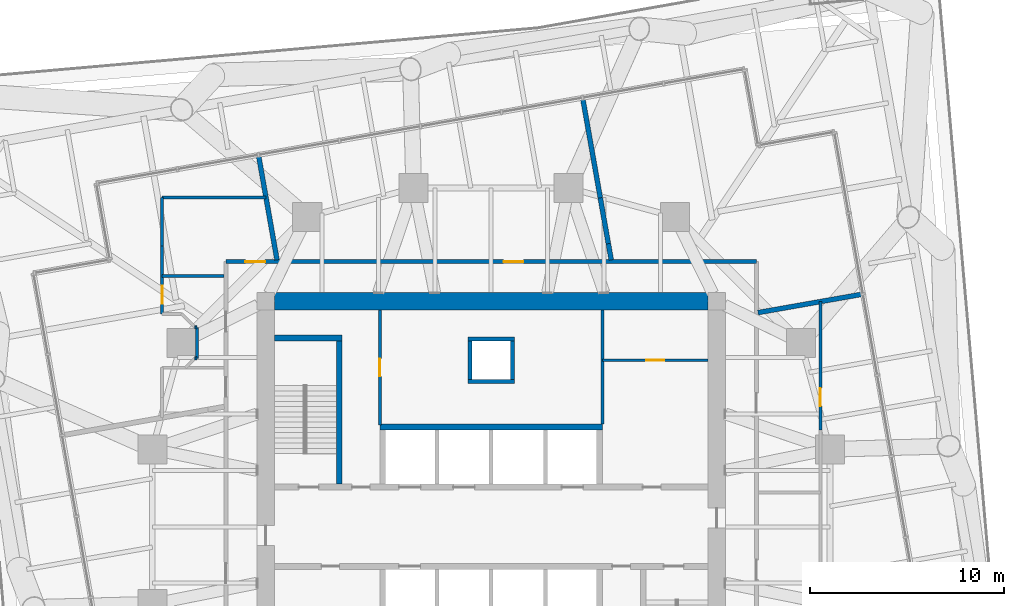
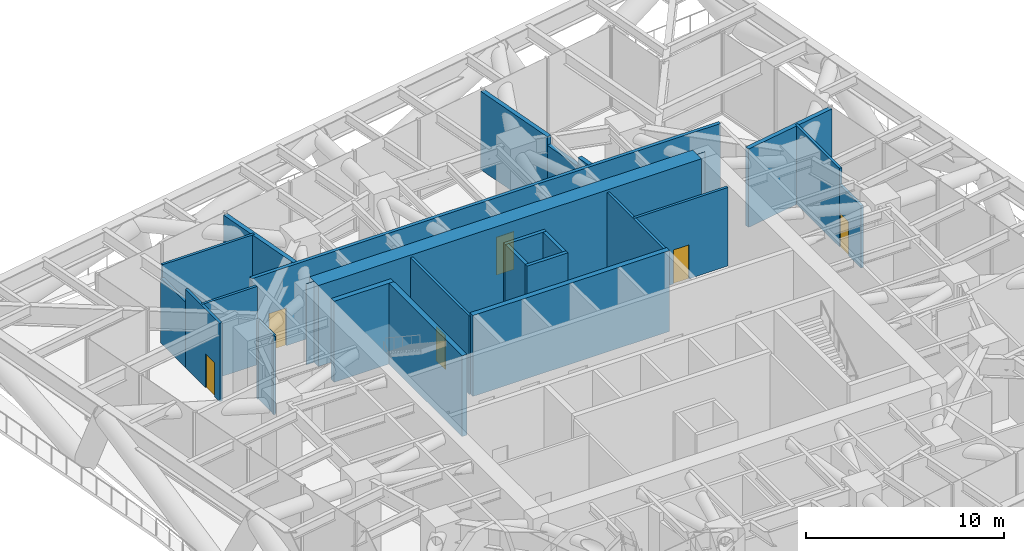
# One storey, part 12 of 15: 26 walls, 6 doors, 6 openings.
"""IFC4 building model written with IfcOpenShell, lengths in metres."""

from ifc_helpers import new_model, si_unit, direction, frame, frame_2d, origin, place, context, subcontext, project, spatial, polyline, rectangle, outline, extrude, material, layer, layer_set, type_object, element, fill, save


model = new_model("IFC4")

# Units and contexts
model_context = context("Model", 3, precision=1e-05, world=origin(), true_north=direction((0.0, 1.0)))
body_context = subcontext(model_context, "Body", "Model", "MODEL_VIEW")
ifc_project = project(units=[si_unit("LENGTHUNIT", "METRE"), si_unit("AREAUNIT", "SQUARE_METRE"), si_unit("VOLUMEUNIT", "CUBIC_METRE"), si_unit("PLANEANGLEUNIT", "RADIAN"), si_unit("MASSUNIT", "GRAM", prefix="KILO")], contexts=[model_context])

# Site, building, storey
site_placement = place(None, origin())
site = spatial("IfcSite", under=ifc_project, at=site_placement, CompositionType="ELEMENT")
building_placement = place(site_placement, origin())
building = spatial("IfcBuilding", under=site, at=building_placement, Name="Torsade Residences", CompositionType="ELEMENT")
storey_placement = place(building_placement, frame((0.0, 0.0, 74.39990234375)))
storey = spatial("IfcBuildingStorey", under=building, at=storey_placement, Name="L20", CompositionType="ELEMENT", Elevation=74.39990234375)

# Walls
ifc_material_1 = material(Name="Concrete 80 MPa", Category="concrete")
ifc_layer_1 = layer(ifc_material_1, 0.300048828125)
ifc_layer_set_1 = layer_set([ifc_layer_1], Name="Concrete 80 MPa")
wall_type_1 = type_object("IfcWallType", Name="CORE INTERNAL WALL 300", PredefinedType="SHEAR", material=ifc_layer_set_1)
wall_1_placement = place(storey_placement, frame((34.25, 35.14990234375, 0.0), z_axis=(0.0, 0.0, 1.0), x_axis=(1.0, 0.0, 0.0)))
element("IfcWall", 1, at=wall_1_placement, inside=storey, type_object=wall_type_1, Name="Core wall BN L20", PredefinedType="SHEAR", context=body_context, shape_type="SweptSolid", body=[
    extrude(rectangle(XDim=11.5, YDim=0.300048828125, at=frame_2d((5.75, 0.0))), origin(), (0.0, 0.0, 1.0), 5.0),
])
wall_2_placement = place(storey_placement, frame((32.14990234375, 32.199951171875, 0.0), z_axis=(0.0, 0.0, 1.0), x_axis=(0.0, 1.0, 0.0)))
element("IfcWall", 2, at=wall_2_placement, inside=storey, type_object=wall_type_1, Name="Core wall ST1E L20", PredefinedType="SHEAR", context=body_context, shape_type="SweptSolid", body=[
    extrude(rectangle(XDim=7.699951171875, YDim=0.300048828125, at=frame_2d((3.85009765625, 0.0))), origin(), (0.0, 0.0, 1.0), 5.0),
])
wall_3_placement = place(storey_placement, frame((28.800048828125, 39.75, 0.0), z_axis=(0.0, 0.0, 1.0), x_axis=(1.0, 0.0, 0.0)))
element("IfcWall", 3, at=wall_3_placement, inside=storey, type_object=wall_type_1, Name="Core wall ST1N L20", PredefinedType="SHEAR", context=body_context, shape_type="SweptSolid", body=[
    extrude(rectangle(XDim=3.5, YDim=0.300048828125, at=frame_2d((1.75, 0.0))), origin(), (0.0, 0.0, 1.0), 5.0),
])
ifc_material_2 = material(Name="Concrete 80 MPa", Category="concrete")
ifc_layer_2 = layer(ifc_material_2, 0.89990234375)
ifc_layer_set_2 = layer_set([ifc_layer_2], Name="Concrete 80 MPa")
wall_type_2 = type_object("IfcWallType", Name="CORE WALL 900", PredefinedType="SHEAR", material=ifc_layer_set_2)
wall_4_placement = place(storey_placement, frame((28.800048828125, 41.64990234375, 0.0), z_axis=(0.0, 0.0, 1.0), x_axis=(1.0, 0.0, 0.0)))
element("IfcWall", 4, at=wall_4_placement, inside=storey, type_object=wall_type_2, Name="Core wall N L20", PredefinedType="SHEAR", context=body_context, shape_type="SweptSolid", body=[
    extrude(outline(polyline([(0.0, -0.449951171875), (22.39990234375, -0.449951171875), (22.39990234375, -0.02490234375), (22.849853515625, -0.02490234375), (22.849853515625, 0.02490234375), (22.39990234375, 0.02490234375), (22.39990234375, 0.449951171875), (0.0, 0.449951171875), (0.0, 0.02490234375), (-0.449951171875, 0.02490234375), (-0.449951171875, -0.02490234375), (0.0, -0.02490234375), (0.0, -0.449951171875)])), origin(), (0.0, 0.0, 1.0), 5.0),
])

# Wall, openings, doors
ifc_material_3 = material(Name="Plasterboard on steel stud", Category="steel")
ifc_layer_3 = layer(ifc_material_3, 0.199951171875)
ifc_layer_set_3 = layer_set([ifc_layer_3], Name="Plasterboard on steel stud")
wall_type_3 = type_object("IfcWallType", Name="CORRIDOR WALL 200", PredefinedType="PARTITIONING", material=ifc_layer_set_3)
wall_5_placement = place(storey_placement, frame((53.699951171875, 43.699951171875, 0.0), z_axis=(0.0, 0.0, 1.0), x_axis=(-1.0, 0.0, 0.0)))
wall_5 = element("IfcWall", 5, at=wall_5_placement, inside=storey, type_object=wall_type_3, Name="Corridor wall L20", PredefinedType="PARTITIONING", context=body_context, shape_type="SweptSolid", body=[
    extrude(rectangle(XDim=27.39990234375, YDim=0.199951171875, at=frame_2d((13.699951171875, 0.0))), origin(), (0.0, 0.0, 1.0), 4.85009765625),
])
opening_1_placement = place(wall_5_placement, frame((12.031494140625, 0.0, 0.0)))
opening_1 = element("IfcOpeningElement", 6, at=opening_1_placement, cuts=wall_5, Name="Opening D01", PredefinedType="OPENING", context=body_context, shape_type="SweptSolid", body=[
    extrude(rectangle(XDim=1.02001953125, YDim=2.340087890625, at=frame_2d((0.510009765625, 1.169921875))), frame((0.0, 0.10986328125, 0.0), z_axis=(0.0, -1.0, 0.0), x_axis=(1.0, 0.0, 0.0)), (0.0, 0.0, 1.0), 0.219970703125),
])
opening_2_placement = place(wall_5_placement, frame((25.377685546875, 0.0, 0.0)))
opening_2 = element("IfcOpeningElement", 7, at=opening_2_placement, cuts=wall_5, Name="Opening D01", PredefinedType="OPENING", context=body_context, shape_type="SweptSolid", body=[
    extrude(rectangle(XDim=1.02001953125, YDim=2.340087890625, at=frame_2d((0.510009765625, 1.169921875))), frame((0.0, 0.10986328125, 0.0), z_axis=(0.0, -1.0, 0.0), x_axis=(1.0, 0.0, 0.0)), (0.0, 0.0, 1.0), 0.219970703125),
])
ifc_material_4 = material(Name="Solid-core timber fire door", Category="wood")
door_type_1 = type_object("IfcDoorType", Name="APARTMENT ENTRY DOOR 1020x2340", OperationType="NOTDEFINED", PredefinedType="DOOR", material=ifc_material_4)
door_1_placement = place(opening_1_placement, origin())
door_1 = element("IfcDoor", 8, at=door_1_placement, inside=storey, type_object=door_type_1, Name="Door Plant corridor to Refuge area", OperationType="SINGLE_SWING_LEFT", OverallHeight=2.340087890625, OverallWidth=1.02001953125, PredefinedType="DOOR", context=body_context, shape_type="SweptSolid", body=[
    extrude(rectangle(XDim=1.02001953125, YDim=2.340087890625, at=frame_2d((0.510009765625, 1.169921875))), frame((0.0, 0.02490234375, 0.0), z_axis=(0.0, -1.0, 0.0), x_axis=(1.0, 0.0, 0.0)), (0.0, 0.0, 1.0), 0.050048828125),
])
fill(opening_1, door_1)
door_2_placement = place(opening_2_placement, origin())
door_2 = element("IfcDoor", 9, at=door_2_placement, inside=storey, type_object=door_type_1, Name="Door Plant corridor to Plant cupboard", OperationType="SINGLE_SWING_RIGHT", OverallHeight=2.340087890625, OverallWidth=1.02001953125, PredefinedType="DOOR", context=body_context, shape_type="SweptSolid", body=[
    extrude(rectangle(XDim=1.02001953125, YDim=2.340087890625, at=frame_2d((0.510009765625, 1.169921875))), frame((0.0, 0.02490234375, 0.0), z_axis=(0.0, -1.0, 0.0), x_axis=(1.0, 0.0, 0.0)), (0.0, 0.0, 1.0), 0.050048828125),
])
fill(opening_2, door_2)

# Walls
ifc_material_5 = material(Name="Masonry-lined stud party wall", Category="masonry")
ifc_layer_4 = layer(ifc_material_5, 0.25)
ifc_layer_set_4 = layer_set([ifc_layer_4], Name="Masonry-lined stud party wall")
wall_type_4 = type_object("IfcWallType", Name="PARTY WALL 250", PredefinedType="PARTITIONING", material=ifc_layer_set_4)
wall_6_placement = place(storey_placement, frame((59.204833984375, 42.017578125, 0.0), z_axis=(0.0, 0.0, 1.0), x_axis=(-0.984803192417, -0.173674040102, 0.0)))
element("IfcWall", 10, at=wall_6_placement, inside=storey, type_object=wall_type_4, Name="Party wall L20", PredefinedType="PARTITIONING", context=body_context, shape_type="SweptSolid", body=[
    extrude(rectangle(XDim=5.50634765625, YDim=0.25, at=frame_2d((2.753173828125, 0.0))), origin(), (0.0, 0.0, 1.0), 4.85009765625),
])
wall_7_placement = place(storey_placement, frame((44.724365234375, 52.156982421875, 0.0), z_axis=(0.0, 0.0, 1.0), x_axis=(0.173615529166, -0.984813509266, 0.0)))
element("IfcWall", 11, at=wall_7_placement, inside=storey, type_object=wall_type_4, Name="Party wall L20", PredefinedType="PARTITIONING", context=body_context, shape_type="SweptSolid", body=[
    extrude(rectangle(XDim=5.24951171875, YDim=0.25, at=frame_2d((2.624755859375, 0.0))), origin(), (0.0, 0.0, 1.0), 4.85009765625),
])
wall_8_placement = place(storey_placement, frame((45.6357421875, 46.9873046875, 0.0), z_axis=(0.0, 0.0, 1.0), x_axis=(0.17362866226, -0.984811193906, 0.0)))
element("IfcWall", 12, at=wall_8_placement, inside=storey, type_object=wall_type_4, Name="Party wall L20", PredefinedType="PARTITIONING", context=body_context, shape_type="SweptSolid", body=[
    extrude(rectangle(XDim=2.400146484375, YDim=0.25, at=frame_2d((1.2001953125, 0.0))), origin(), (0.0, 0.0, 1.0), 4.322021484375),
])
wall_9_placement = place(storey_placement, frame((46.052490234375, 44.62353515625, 0.0), z_axis=(0.0, 0.0, 1.0), x_axis=(0.173752728326, -0.984789312188, 0.0)))
element("IfcWall", 13, at=wall_9_placement, inside=storey, type_object=wall_type_4, Name="Party wall L20", PredefinedType="PARTITIONING", context=body_context, shape_type="SweptSolid", body=[
    extrude(rectangle(XDim=0.854248046875, YDim=0.25, at=frame_2d((0.42724609375, 0.0))), origin(), (0.0, 0.0, 1.0), 4.85009765625),
])
wall_10_placement = place(storey_placement, frame((27.982421875, 49.204833984375, 0.0), z_axis=(0.0, 0.0, 1.0), x_axis=(0.173674040102, -0.984803192417, 0.0)))
element("IfcWall", 14, at=wall_10_placement, inside=storey, type_object=wall_type_4, Name="Party wall L20", PredefinedType="PARTITIONING", context=body_context, shape_type="SweptSolid", body=[
    extrude(rectangle(XDim=5.50634765625, YDim=0.25, at=frame_2d((2.753173828125, 0.0))), origin(), (0.0, 0.0, 1.0), 4.85009765625),
])
ifc_material_6 = material(Name="Reinforced blockwork", Category="masonry")
ifc_layer_5 = layer(ifc_material_6, 0.199951171875)
ifc_layer_set_5 = layer_set([ifc_layer_5], Name="Reinforced blockwork")
wall_type_5 = type_object("IfcWallType", Name="RISER SHAFT WALL 200", PredefinedType="SOLIDWALL", material=ifc_layer_set_5)
for number, where, z_axis, x_axis, name in (
    (15, (38.89990234375, 37.60009765625, 0.0), (0.0, 0.0, 1.0), (0.0, 1.0, 0.0), "Core wall RS1a L20"),
    (16, (41.10009765625, 37.60009765625, 0.0), (0.0, 0.0, 1.0), (0.0, 1.0, 0.0), "Core wall RS1b L20"),
):
    element("IfcWall", number, at=place(storey_placement, frame(where, z_axis=z_axis, x_axis=x_axis)), inside=storey, type_object=wall_type_5, Name=name, PredefinedType="SOLIDWALL", context=body_context, shape_type="SweptSolid", body=[
        extrude(rectangle(XDim=2.0, YDim=0.199951171875, at=frame_2d((1.0, 0.0))), origin(), (0.0, 0.0, 1.0), 5.0),
    ])
for number, where, z_axis, x_axis, name in (
    (17, (38.800048828125, 37.5, 0.0), (0.0, 0.0, 1.0), (1.0, 0.0, 0.0), "Core wall RS1c L20"),
    (18, (38.800048828125, 39.699951171875, 0.0), (0.0, 0.0, 1.0), (1.0, 0.0, 0.0), "Core wall RS1d L20"),
):
    element("IfcWall", number, at=place(storey_placement, frame(where, z_axis=z_axis, x_axis=x_axis)), inside=storey, type_object=wall_type_5, Name=name, PredefinedType="SOLIDWALL", context=body_context, shape_type="SweptSolid", body=[
        extrude(rectangle(XDim=2.39990234375, YDim=0.199951171875, at=frame_2d((1.199951171875, 0.0))), origin(), (0.0, 0.0, 1.0), 5.0),
    ])

# Wall, opening, door
ifc_material_7 = material(Name="Reinforced blockwork", Category="masonry")
ifc_layer_6 = layer(ifc_material_7, 0.14990234375)
ifc_layer_set_6 = layer_set([ifc_layer_6], Name="Reinforced blockwork")
wall_type_6 = type_object("IfcWallType", Name="SERVICE ROOM WALL 150", PredefinedType="SOLIDWALL", material=ifc_layer_set_6)
wall_11_placement = place(storey_placement, frame((34.25, 41.199951171875, 0.0), z_axis=(0.0, 0.0, 1.0), x_axis=(0.0, -1.0, 0.0)))
wall_11 = element("IfcWall", 19, at=wall_11_placement, inside=storey, type_object=wall_type_6, Name="Service room wall L20", PredefinedType="SOLIDWALL", context=body_context, shape_type="SweptSolid", body=[
    extrude(rectangle(XDim=5.949951171875, YDim=0.14990234375, at=frame_2d((2.97509765625, 0.0))), origin(), (0.0, 0.0, 1.0), 4.85009765625),
])
opening_3_placement = place(wall_11_placement, frame((2.514892578125, 0.0, 0.0)))
opening_3 = element("IfcOpeningElement", 20, at=opening_3_placement, cuts=wall_11, Name="Opening D06", PredefinedType="OPENING", context=body_context, shape_type="SweptSolid", body=[
    extrude(rectangle(XDim=0.919921875, YDim=2.10009765625, at=frame_2d((0.4599609375, 1.050048828125))), frame((0.0, 0.0849609375, 0.0), z_axis=(0.0, -1.0, 0.0), x_axis=(1.0, 0.0, 0.0)), (0.0, 0.0, 1.0), 0.169921875),
])
ifc_material_8 = material(Name="Steel-framed fire door", Category="steel")
door_type_2 = type_object("IfcDoorType", Name="FIRE DOOR 920", OperationType="NOTDEFINED", PredefinedType="DOOR", material=ifc_material_8)
door_3_placement = place(opening_3_placement, origin())
door_3 = element("IfcDoor", 21, at=door_3_placement, inside=storey, type_object=door_type_2, Name="Door Meter store to Electrical riser room", OperationType="SINGLE_SWING_LEFT", OverallHeight=2.10009765625, OverallWidth=0.919921875, PredefinedType="DOOR", context=body_context, shape_type="SweptSolid", body=[
    extrude(rectangle(XDim=0.919921875, YDim=2.10009765625, at=frame_2d((0.4599609375, 1.050048828125))), frame((0.0, 0.02490234375, 0.0), z_axis=(0.0, -1.0, 0.0), x_axis=(1.0, 0.0, 0.0)), (0.0, 0.0, 1.0), 0.050048828125),
])
fill(opening_3, door_3)

# Wall
wall_12_placement = place(storey_placement, frame((45.75, 41.199951171875, 0.0), z_axis=(0.0, 0.0, 1.0), x_axis=(0.0, -1.0, 0.0)))
element("IfcWall", 22, at=wall_12_placement, inside=storey, type_object=wall_type_6, Name="Service room wall L20", PredefinedType="SOLIDWALL", context=body_context, shape_type="SweptSolid", body=[
    extrude(rectangle(XDim=5.89990234375, YDim=0.14990234375, at=frame_2d((2.949951171875, 0.0))), origin(), (0.0, 0.0, 1.0), 4.85009765625),
])

# Wall, opening, door
wall_13_placement = place(storey_placement, frame((45.75, 38.60009765625, 0.0), z_axis=(0.0, 0.0, 1.0), x_axis=(1.0, 0.0, 0.0)))
wall_13 = element("IfcWall", 23, at=wall_13_placement, inside=storey, type_object=wall_type_6, Name="Service room wall L20", PredefinedType="SOLIDWALL", context=body_context, shape_type="SweptSolid", body=[
    extrude(rectangle(XDim=5.449951171875, YDim=0.14990234375, at=frame_2d((2.72509765625, 0.0))), origin(), (0.0, 0.0, 1.0), 4.85009765625),
])
opening_4_placement = place(wall_13_placement, frame((2.264892578125, 0.0, 0.0)))
opening_4 = element("IfcOpeningElement", 24, at=opening_4_placement, cuts=wall_13, Name="Opening D06", PredefinedType="OPENING", context=body_context, shape_type="SweptSolid", body=[
    extrude(rectangle(XDim=0.919921875, YDim=2.10009765625, at=frame_2d((0.4599609375, 1.050048828125))), frame((0.0, 0.0849609375, 0.0), z_axis=(0.0, -1.0, 0.0), x_axis=(1.0, 0.0, 0.0)), (0.0, 0.0, 1.0), 0.169921875),
])
door_4_placement = place(opening_4_placement, origin())
door_4 = element("IfcDoor", 25, at=door_4_placement, inside=storey, type_object=door_type_2, Name="Door Refuse room to Linen store", OperationType="SINGLE_SWING_LEFT", OverallHeight=2.10009765625, OverallWidth=0.919921875, PredefinedType="DOOR", context=body_context, shape_type="SweptSolid", body=[
    extrude(rectangle(XDim=0.919921875, YDim=2.10009765625, at=frame_2d((0.4599609375, 1.050048828125))), frame((0.0, 0.02490234375, 0.0), z_axis=(0.0, -1.0, 0.0), x_axis=(1.0, 0.0, 0.0)), (0.0, 0.0, 1.0), 0.050048828125),
])
fill(opening_4, door_4)

# Wall
wall_14_placement = place(storey_placement, frame((57.0, 41.628662109375, 0.0), z_axis=(0.0, 0.0, 1.0), x_axis=(0.0, -1.0, 0.0)))
element("IfcWall", 26, at=wall_14_placement, inside=storey, type_object=wall_type_6, Name="Service room wall L20", PredefinedType="SOLIDWALL", context=body_context, shape_type="SweptSolid", body=[
    extrude(rectangle(XDim=4.473876953125, YDim=0.14990234375, at=frame_2d((2.23681640625, 0.0))), origin(), (0.0, 0.0, 1.0), 4.85009765625),
])

# Wall, opening, door
wall_15_placement = place(storey_placement, frame((57.0, 37.15478515625, 0.0), z_axis=(0.0, 0.0, 1.0), x_axis=(0.0, -1.0, 0.0)))
wall_15 = element("IfcWall", 27, at=wall_15_placement, inside=storey, type_object=wall_type_6, Name="Service room wall L20", PredefinedType="SOLIDWALL", context=body_context, shape_type="SweptSolid", body=[
    extrude(rectangle(XDim=2.16650390625, YDim=0.14990234375, at=frame_2d((1.083251953125, 0.0))), origin(), (0.0, 0.0, 1.0), 3.85009765625),
])
opening_5_placement = place(wall_15_placement, origin())
opening_5 = element("IfcOpeningElement", 28, at=opening_5_placement, cuts=wall_15, Name="Opening D06", PredefinedType="OPENING", context=body_context, shape_type="SweptSolid", body=[
    extrude(rectangle(XDim=0.919921875, YDim=2.10009765625, at=frame_2d((0.4599609375, 1.050048828125))), frame((0.0, 0.0849609375, 0.0), z_axis=(0.0, -1.0, 0.0), x_axis=(1.0, 0.0, 0.0)), (0.0, 0.0, 1.0), 0.169921875),
])
door_5_placement = place(opening_5_placement, origin())
door_5 = element("IfcDoor", 29, at=door_5_placement, inside=storey, type_object=door_type_2, Name="Door Plant cupboard to Mechanical plant room", OperationType="SINGLE_SWING_RIGHT", OverallHeight=2.10009765625, OverallWidth=0.919921875, PredefinedType="DOOR", context=body_context, shape_type="SweptSolid", body=[
    extrude(rectangle(XDim=0.919921875, YDim=2.10009765625, at=frame_2d((0.4599609375, 1.050048828125))), frame((0.0, 0.02490234375, 0.0), z_axis=(0.0, -1.0, 0.0), x_axis=(1.0, 0.0, 0.0)), (0.0, 0.0, 1.0), 0.050048828125),
])
fill(opening_5, door_5)

# Walls
wall_16_placement = place(storey_placement, frame((23.0, 42.95703125, 0.0), z_axis=(0.0, 0.0, 1.0), x_axis=(1.0, 0.0, 0.0)))
element("IfcWall", 30, at=wall_16_placement, inside=storey, type_object=wall_type_6, Name="Service room wall L20", PredefinedType="SOLIDWALL", context=body_context, shape_type="SweptSolid", body=[
    extrude(rectangle(XDim=3.199951171875, YDim=0.14990234375, at=frame_2d((1.60009765625, 0.0))), origin(), (0.0, 0.0, 1.0), 4.85009765625),
])
wall_17_placement = place(storey_placement, frame((24.800048828125, 38.699951171875, 0.0), z_axis=(0.0, 0.0, 1.0), x_axis=(0.0, 1.0, 0.0)))
element("IfcWall", 31, at=wall_17_placement, inside=storey, type_object=wall_type_6, Name="Service room wall L20", PredefinedType="SOLIDWALL", context=body_context, shape_type="SweptSolid", body=[
    extrude(rectangle(XDim=1.60009765625, YDim=0.14990234375, at=frame_2d((0.800048828125, 0.0))), origin(), (0.0, 0.0, 1.0), 4.85009765625),
])

# Wall, opening, door
wall_18_placement = place(storey_placement, frame((23.0, 41.0, 0.0), z_axis=(0.0, 0.0, 1.0), x_axis=(0.0, 1.0, 0.0)))
wall_18 = element("IfcWall", 32, at=wall_18_placement, inside=storey, type_object=wall_type_6, Name="Service room wall L20", PredefinedType="SOLIDWALL", context=body_context, shape_type="SweptSolid", body=[
    extrude(rectangle(XDim=3.499755859375, YDim=0.14990234375, at=frame_2d((1.75, 0.0))), origin(), (0.0, 0.0, 1.0), 4.85009765625),
])
opening_6_placement = place(wall_18_placement, frame((0.5185546875, 0.0, 0.0)))
opening_6 = element("IfcOpeningElement", 33, at=opening_6_placement, cuts=wall_18, Name="Opening D06", PredefinedType="OPENING", context=body_context, shape_type="SweptSolid", body=[
    extrude(rectangle(XDim=0.919921875, YDim=2.10009765625, at=frame_2d((0.4599609375, 1.050048828125))), frame((0.0, 0.0849609375, 0.0), z_axis=(0.0, -1.0, 0.0), x_axis=(1.0, 0.0, 0.0)), (0.0, 0.0, 1.0), 0.169921875),
])
door_6_placement = place(opening_6_placement, origin())
door_6 = element("IfcDoor", 34, at=door_6_placement, inside=storey, type_object=door_type_2, Name="Door Service lobby to Mechanical plant room", OperationType="SINGLE_SWING_RIGHT", OverallHeight=2.10009765625, OverallWidth=0.919921875, PredefinedType="DOOR", context=body_context, shape_type="SweptSolid", body=[
    extrude(rectangle(XDim=0.919921875, YDim=2.10009765625, at=frame_2d((0.4599609375, 1.050048828125))), frame((0.0, 0.02490234375, 0.0), z_axis=(0.0, -1.0, 0.0), x_axis=(1.0, 0.0, 0.0)), (0.0, 0.0, 1.0), 0.050048828125),
])
fill(opening_6, door_6)

# Walls
wall_19_placement = place(storey_placement, frame((23.0, 44.499755859375, 0.0), z_axis=(0.0, 0.0, 1.0), x_axis=(0.0, 1.0, 0.0)))
element("IfcWall", 35, at=wall_19_placement, inside=storey, type_object=wall_type_6, Name="Service room wall L20", PredefinedType="SOLIDWALL", context=body_context, shape_type="SweptSolid", body=[
    extrude(rectangle(XDim=2.500244140625, YDim=0.14990234375, at=frame_2d((1.25, 0.0))), origin(), (0.0, 0.0, 1.0), 4.049072265625),
])
wall_20_placement = place(storey_placement, frame((23.0, 47.0, 0.0), z_axis=(0.0, 0.0, 1.0), x_axis=(1.0, 0.0, 0.0)))
element("IfcWall", 36, at=wall_20_placement, inside=storey, type_object=wall_type_6, Name="Service room wall L20", PredefinedType="SOLIDWALL", context=body_context, shape_type="SweptSolid", body=[
    extrude(rectangle(XDim=5.371337890625, YDim=0.14990234375, at=frame_2d((2.685546875, 0.0))), origin(), (0.0, 0.0, 1.0), 4.85009765625),
])
for number, where, z_axis, x_axis, name in (
    (37, (24.800048828125, 38.699951171875, 0.0), (0.0, 0.0, 1.0), (-1.0, 0.0, 0.0), "Service room wall L20"),
    (38, (24.800048828125, 40.300048828125, 0.0), (0.0, 0.0, 1.0), (-1.0, 0.0, 0.0), "Service room wall L20"),
):
    element("IfcWall", number, at=place(storey_placement, frame(where, z_axis=z_axis, x_axis=x_axis)), inside=storey, type_object=wall_type_6, Name=name, PredefinedType="SOLIDWALL", context=body_context, shape_type="SweptSolid", body=[
        extrude(rectangle(XDim=0.10009765625, YDim=0.14990234375, at=frame_2d((0.050048828125, 0.0))), origin(), (0.0, 0.0, 1.0), 4.85009765625),
    ])

save(model, "model.ifc")
